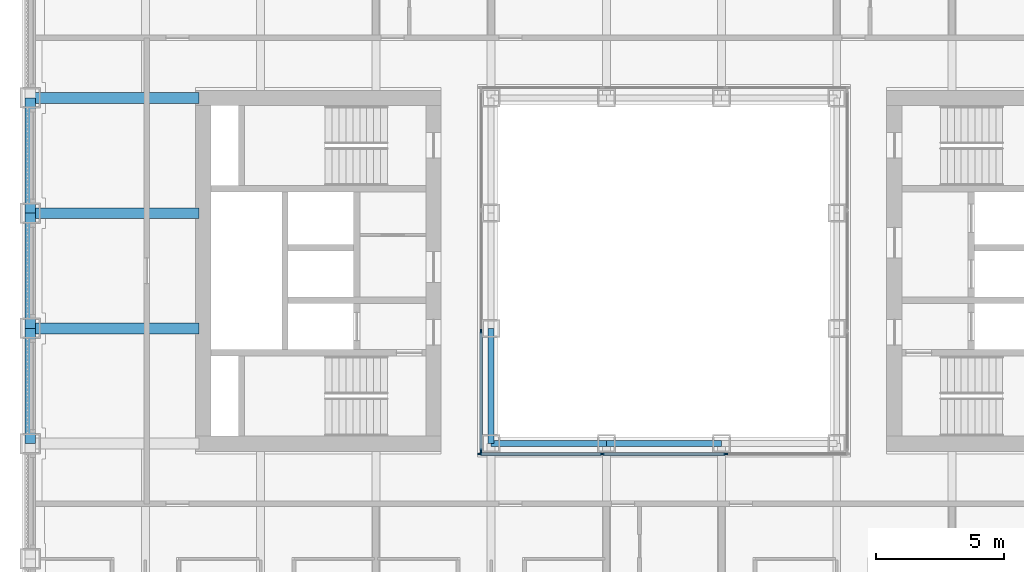
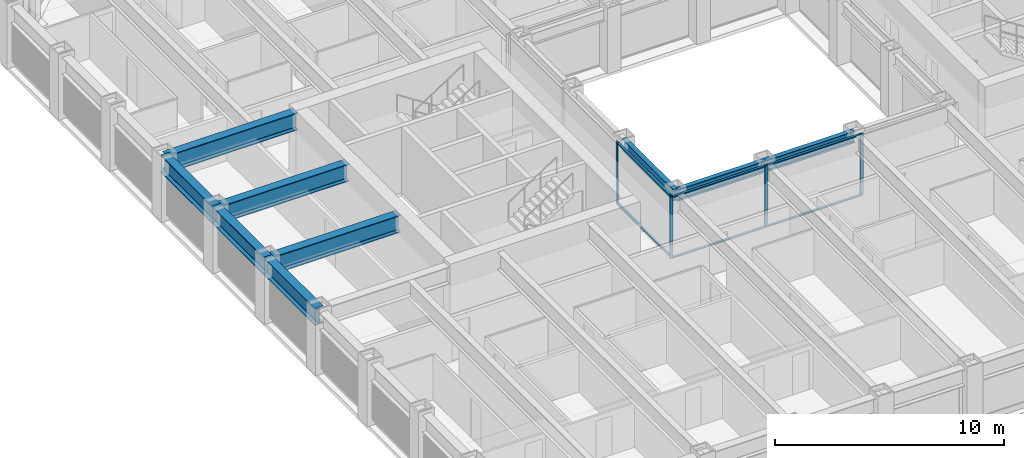
# One storey, part 3 of 20: 11 members, 9 beams, 2 elements without a shape of their own.
"""IFC4 building model written with IfcOpenShell, lengths in metres."""

from ifc_helpers import new_model, si_unit, direction, frame, origin, origin_2d, place, context, subcontext, project, spatial, rectangle, i_section, extrude, material, material_profile, profile_set, type_object, element, aggregate, save


model = new_model("IFC4")

# Units and contexts
model_context = context("Model", 3, precision=1e-05, world=origin(), true_north=direction((0.0, 1.0)))
body_context = subcontext(model_context, "Body", "Model", "MODEL_VIEW")
ifc_project = project(units=[si_unit("LENGTHUNIT", "METRE"), si_unit("AREAUNIT", "SQUARE_METRE"), si_unit("VOLUMEUNIT", "CUBIC_METRE"), si_unit("PLANEANGLEUNIT", "RADIAN"), si_unit("MASSUNIT", "GRAM", prefix="KILO")], contexts=[model_context])

# Site, building, storey
site_placement = place(None, origin())
site = spatial("IfcSite", under=ifc_project, at=site_placement, CompositionType="ELEMENT")
building_placement = place(site_placement, origin())
building = spatial("IfcBuilding", under=site, at=building_placement, Name="Msasa Ring Tower", CompositionType="ELEMENT")
storey_placement = place(building_placement, frame((0.0, 0.0, 61.5)))
storey = spatial("IfcBuildingStorey", under=building, at=storey_placement, Name="L15", CompositionType="ELEMENT", Elevation=61.5)

# Curtain wall, members
ifc_material_1 = material(Name="Aluminium curtain wall with clear glass", Category="aluminium")
curtain_wall_type = type_object("IfcCurtainWallType", Name="CW-W LIGHT WELL CURTAIN WALL", PredefinedType="NOTDEFINED", material=ifc_material_1)
curtain_wall_1_placement = place(storey_placement, origin())
curtain_wall_1 = element("IfcCurtainWall", 1, at=curtain_wall_1_placement, inside=storey, type_object=curtain_wall_type, Name="Light well curtain wall S L15", PredefinedType="NOTDEFINED")
ifc_material_2 = material(Name="Aluminium mullion", Category="aluminium")
ifc_material_profile_1 = material_profile(ifc_material_2, rectangle(XDim=0.06005859375, YDim=0.159912109375, at=origin_2d()), Name="AL 60x160")
ifc_profile_set_1 = profile_set([ifc_material_profile_1], Name="Aluminium mullion")
member_type_1 = type_object("IfcMemberType", Name="CW-W MULLION 60x160", PredefinedType="MULLION", material=ifc_profile_set_1)
member_1_placement = place(storey_placement, frame((-7.199951171875, -7.14990234375, 0.0), z_axis=(0.0, 0.0, 1.0), x_axis=(0.0, 1.0, 0.0)))
member_1 = element("IfcMember", 2, at=member_1_placement, type_object=member_type_1, Name="CW-W mullion 1", PredefinedType="MULLION", context=body_context, shape_type="SweptSolid", body=[
    extrude(rectangle(XDim=0.06005859375, YDim=0.159912109375, at=origin_2d()), origin(), (0.0, 0.0, 1.0), 3.300048828125),
])
member_2_placement = place(storey_placement, frame((-2.409912109375, -7.14990234375, 0.0), z_axis=(0.0, 0.0, 1.0), x_axis=(0.0, 1.0, 0.0)))
member_2 = element("IfcMember", 3, at=member_2_placement, type_object=member_type_1, Name="CW-W mullion 2", PredefinedType="MULLION", context=body_context, shape_type="SweptSolid", body=[
    extrude(rectangle(XDim=0.06005859375, YDim=0.159912109375, at=origin_2d()), origin(), (0.0, 0.0, 1.0), 3.300048828125),
])
member_3_placement = place(storey_placement, frame((2.409912109375, -7.14990234375, 0.0), z_axis=(0.0, 0.0, 1.0), x_axis=(0.0, 1.0, 0.0)))
member_3 = element("IfcMember", 4, at=member_3_placement, type_object=member_type_1, Name="CW-W mullion 3", PredefinedType="MULLION", context=body_context, shape_type="SweptSolid", body=[
    extrude(rectangle(XDim=0.06005859375, YDim=0.159912109375, at=origin_2d()), origin(), (0.0, 0.0, 1.0), 3.300048828125),
])

curtain_wall_2_placement = place(storey_placement, origin())
curtain_wall_2 = element("IfcCurtainWall", 5, at=curtain_wall_2_placement, inside=storey, type_object=curtain_wall_type, Name="Light well curtain wall W L15", PredefinedType="NOTDEFINED")
member_4_placement = place(storey_placement, frame((-7.14990234375, -7.0400390625, 0.0), z_axis=(0.0, 0.0, 1.0), x_axis=(-1.0, 0.0, 0.0)))
member_4 = element("IfcMember", 6, at=member_4_placement, type_object=member_type_1, Name="CW-W mullion 1", PredefinedType="MULLION", context=body_context, shape_type="SweptSolid", body=[
    extrude(rectangle(XDim=0.06005859375, YDim=0.159912109375, at=origin_2d()), origin(), (0.0, 0.0, 1.0), 3.300048828125),
])
member_5_placement = place(storey_placement, frame((-7.14990234375, -2.356689453125, 0.0), z_axis=(0.0, 0.0, 1.0), x_axis=(-1.0, 0.0, 0.0)))
member_5 = element("IfcMember", 7, at=member_5_placement, type_object=member_type_1, Name="CW-W mullion 2", PredefinedType="MULLION", context=body_context, shape_type="SweptSolid", body=[
    extrude(rectangle(XDim=0.06005859375, YDim=0.159912109375, at=origin_2d()), origin(), (0.0, 0.0, 1.0), 3.300048828125),
])

# Member
ifc_material_3 = material(Name="Aluminium transom", Category="aluminium")
ifc_material_profile_2 = material_profile(ifc_material_3, rectangle(XDim=0.1201171875, YDim=0.06005859375, at=origin_2d()), Name="AL 60x120")
ifc_profile_set_2 = profile_set([ifc_material_profile_2], Name="Aluminium transom")
member_type_2 = type_object("IfcMemberType", Name="CW-W TRANSOM 60x120", PredefinedType="USERDEFINED", material=ifc_profile_set_2)
member_6_placement = place(storey_placement, frame((-7.169921875, -7.14990234375, 0.030029296875), z_axis=(1.0, 0.0, 0.0), x_axis=(0.0, 1.0, 0.0)))
member_6 = element("IfcMember", 8, at=member_6_placement, type_object=member_type_2, Name="CW-W transom 1.1", ObjectType="TRANSOM", PredefinedType="USERDEFINED", context=body_context, shape_type="SweptSolid", body=[
    extrude(rectangle(XDim=0.1201171875, YDim=0.06005859375, at=origin_2d()), origin(), (0.0, 0.0, 1.0), 4.72998046875),
])

member_7_placement = place(storey_placement, frame((-7.169921875, -7.14990234375, 3.27001953125), z_axis=(1.0, 0.0, 0.0), x_axis=(0.0, 1.0, 0.0)))
member_7 = element("IfcMember", 9, at=member_7_placement, type_object=member_type_2, Name="CW-W transom 1.2", ObjectType="TRANSOM", PredefinedType="USERDEFINED", context=body_context, shape_type="SweptSolid", body=[
    extrude(rectangle(XDim=0.1201171875, YDim=0.06005859375, at=origin_2d()), origin(), (0.0, 0.0, 1.0), 4.72998046875),
])

member_8_placement = place(storey_placement, frame((-2.3798828125, -7.14990234375, 0.030029296875), z_axis=(1.0, 0.0, 0.0), x_axis=(0.0, 1.0, 0.0)))
member_8 = element("IfcMember", 10, at=member_8_placement, type_object=member_type_2, Name="CW-W transom 2.1", ObjectType="TRANSOM", PredefinedType="USERDEFINED", context=body_context, shape_type="SweptSolid", body=[
    extrude(rectangle(XDim=0.1201171875, YDim=0.06005859375, at=origin_2d()), origin(), (0.0, 0.0, 1.0), 4.759765625),
])

member_9_placement = place(storey_placement, frame((-2.3798828125, -7.14990234375, 3.27001953125), z_axis=(1.0, 0.0, 0.0), x_axis=(0.0, 1.0, 0.0)))
member_9 = element("IfcMember", 11, at=member_9_placement, type_object=member_type_2, Name="CW-W transom 2.2", ObjectType="TRANSOM", PredefinedType="USERDEFINED", context=body_context, shape_type="SweptSolid", body=[
    extrude(rectangle(XDim=0.1201171875, YDim=0.06005859375, at=origin_2d()), origin(), (0.0, 0.0, 1.0), 4.759765625),
])

aggregate(curtain_wall_1, [member_1, member_2, member_3, member_6, member_7, member_8, member_9])

member_10_placement = place(storey_placement, frame((-7.14990234375, -7.010009765625, 0.030029296875), z_axis=(0.0, 1.0, 0.0), x_axis=(-1.0, 0.0, 0.0)))
member_10 = element("IfcMember", 12, at=member_10_placement, type_object=member_type_2, Name="CW-W transom 1.1", ObjectType="TRANSOM", PredefinedType="USERDEFINED", context=body_context, shape_type="SweptSolid", body=[
    extrude(rectangle(XDim=0.1201171875, YDim=0.06005859375, at=origin_2d()), origin(), (0.0, 0.0, 1.0), 4.623291015625),
])

member_11_placement = place(storey_placement, frame((-7.14990234375, -7.010009765625, 3.27001953125), z_axis=(0.0, 1.0, 0.0), x_axis=(-1.0, 0.0, 0.0)))
member_11 = element("IfcMember", 13, at=member_11_placement, type_object=member_type_2, Name="CW-W transom 1.2", ObjectType="TRANSOM", PredefinedType="USERDEFINED", context=body_context, shape_type="SweptSolid", body=[
    extrude(rectangle(XDim=0.1201171875, YDim=0.06005859375, at=origin_2d()), origin(), (0.0, 0.0, 1.0), 4.623291015625),
])

aggregate(curtain_wall_2, [member_4, member_5, member_10, member_11])

# Beams
ifc_material_4 = material(Name="Steel S355", Category="steel")
ifc_material_profile_3 = material_profile(ifc_material_4, i_section(OverallWidth=0.42041015625, OverallDepth=0.9208984375, WebThickness=0.021484375, FlangeThickness=0.03662109375, FilletRadius=0.024169921875, at=origin_2d()), Name="UB 914x419x388")
ifc_profile_set_3 = profile_set([ifc_material_profile_3], Name="Steel S355")
beam_type_1 = type_object("IfcBeamType", Name="FB2 UB 914x419x388", PredefinedType="BEAM", material=ifc_profile_set_3)
for number, where, z_axis, x_axis, name in (
    (14, (-24.75, -2.25, 2.839599609375), (1.0, 0.0, 0.0), (0.0, 1.0, 0.0), "Floor beam W -2.25 under L16"),
    (15, (-24.75, 2.25, 2.839599609375), (1.0, 0.0, 0.0), (0.0, 1.0, 0.0), "Floor beam W +2.25 under L16"),
):
    element("IfcBeam", number, at=place(storey_placement, frame(where, z_axis=z_axis, x_axis=x_axis)), inside=storey, type_object=beam_type_1, Name=name, PredefinedType="BEAM", context=body_context, shape_type="SweptSolid", body=[
        extrude(i_section(OverallWidth=0.42041015625, OverallDepth=0.9208984375, WebThickness=0.021484375, FlangeThickness=0.03662109375, FilletRadius=0.024169921875, at=origin_2d()), origin(), (0.0, 0.0, 1.0), 6.60009765625),
    ])
ifc_material_5 = material(Name="Steel S355", Category="steel")
ifc_material_profile_4 = material_profile(ifc_material_5, i_section(OverallWidth=0.42041015625, OverallDepth=0.9208984375, WebThickness=0.021484375, FlangeThickness=0.03662109375, FilletRadius=0.024169921875, at=origin_2d()), Name="UB 914x419x388")
ifc_profile_set_4 = profile_set([ifc_material_profile_4], Name="Steel S355")
beam_type_2 = type_object("IfcBeamType", Name="GB1 UB 914x419x388", PredefinedType="BEAM", material=ifc_profile_set_4)
beam_placement = place(storey_placement, frame((-18.14990234375, 6.75, 2.839599609375), z_axis=(-1.0, 0.0, 0.0), x_axis=(0.0, -1.0, 0.0)))
element("IfcBeam", 16, at=beam_placement, inside=storey, type_object=beam_type_2, Name="Girder W +6.75 under L16", PredefinedType="BEAM", context=body_context, shape_type="SweptSolid", body=[
    extrude(i_section(OverallWidth=0.42041015625, OverallDepth=0.9208984375, WebThickness=0.021484375, FlangeThickness=0.03662109375, FilletRadius=0.024169921875, at=origin_2d()), origin(), (0.0, 0.0, 1.0), 6.60009765625),
])
ifc_material_6 = material(Name="Steel S355", Category="steel")
ifc_material_profile_5 = material_profile(ifc_material_6, i_section(OverallWidth=0.230224609375, OverallDepth=0.6171875, WebThickness=0.01318359375, FlangeThickness=0.022216796875, FilletRadius=0.0126953125, at=origin_2d()), Name="UB 610x229x140")
ifc_profile_set_5 = profile_set([ifc_material_profile_5], Name="Steel S355")
beam_type_3 = type_object("IfcBeamType", Name="RB1 UB 610x229x140", PredefinedType="BEAM", material=ifc_profile_set_5)
for number, where, z_axis, x_axis, name in (
    (17, (-6.75, -2.25, 2.991455078125), (0.0, -1.0, 0.0), (1.0, 0.0, 0.0), "Inner ring beam IR-6.75-2.25 under L16"),
    (18, (-6.75, -6.75, 2.991455078125), (1.0, 0.0, 0.0), (0.0, 1.0, 0.0), "Inner ring beam IR-6.75-6.75 under L16"),
    (19, (-2.25, -6.75, 2.991455078125), (1.0, 0.0, 0.0), (0.0, 1.0, 0.0), "Inner ring beam IR-2.25-6.75 under L16"),
):
    element("IfcBeam", number, at=place(storey_placement, frame(where, z_axis=z_axis, x_axis=x_axis)), inside=storey, type_object=beam_type_3, Name=name, PredefinedType="BEAM", context=body_context, shape_type="SweptSolid", body=[
        extrude(i_section(OverallWidth=0.230224609375, OverallDepth=0.6171875, WebThickness=0.01318359375, FlangeThickness=0.022216796875, FilletRadius=0.0126953125, at=origin_2d()), origin(), (0.0, 0.0, 1.0), 4.5),
    ])
ifc_material_7 = material(Name="Steel S355", Category="steel")
ifc_material_profile_6 = material_profile(ifc_material_7, i_section(OverallWidth=0.42041015625, OverallDepth=0.9208984375, WebThickness=0.021484375, FlangeThickness=0.03662109375, FilletRadius=0.024169921875, at=origin_2d()), Name="UB 914x419x388")
ifc_profile_set_6 = profile_set([ifc_material_profile_6], Name="Steel S355")
beam_type_4 = type_object("IfcBeamType", Name="SB1 UB 914x419x388", PredefinedType="SPANDREL", material=ifc_profile_set_6)
for number, where, z_axis, x_axis, name in (
    (20, (-24.75, -2.25, 2.839599609375), (0.0, -1.0, 0.0), (1.0, 0.0, 0.0), "Spandrel W-2.25 to W-6.75 under L16"),
    (21, (-24.75, 6.75, 2.839599609375), (0.0, -1.0, 0.0), (1.0, 0.0, 0.0), "Spandrel W+6.75 to W+2.25 under L16"),
    (22, (-24.75, 2.25, 2.839599609375), (0.0, -1.0, 0.0), (1.0, 0.0, 0.0), "Spandrel W+2.25 to W-2.25 under L16"),
):
    element("IfcBeam", number, at=place(storey_placement, frame(where, z_axis=z_axis, x_axis=x_axis)), inside=storey, type_object=beam_type_4, Name=name, PredefinedType="SPANDREL", context=body_context, shape_type="SweptSolid", body=[
        extrude(i_section(OverallWidth=0.42041015625, OverallDepth=0.9208984375, WebThickness=0.021484375, FlangeThickness=0.03662109375, FilletRadius=0.024169921875, at=origin_2d()), origin(), (0.0, 0.0, 1.0), 4.5),
    ])

save(model, "model.ifc")
